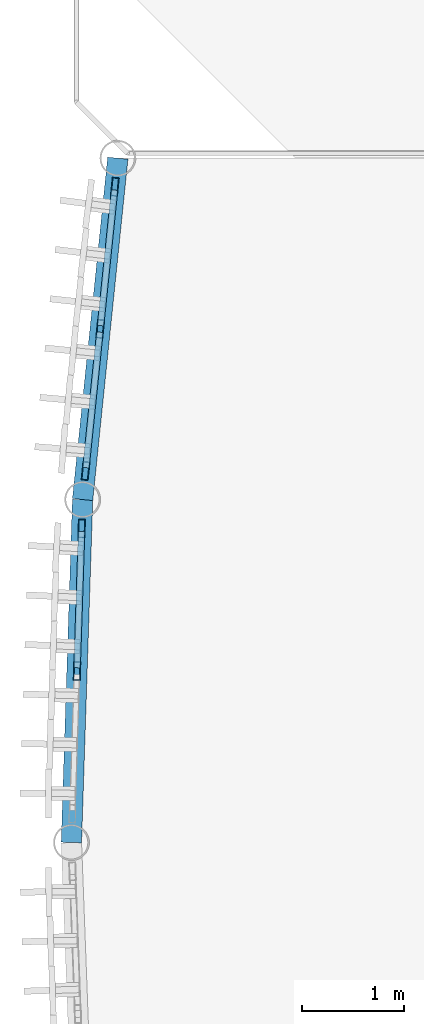
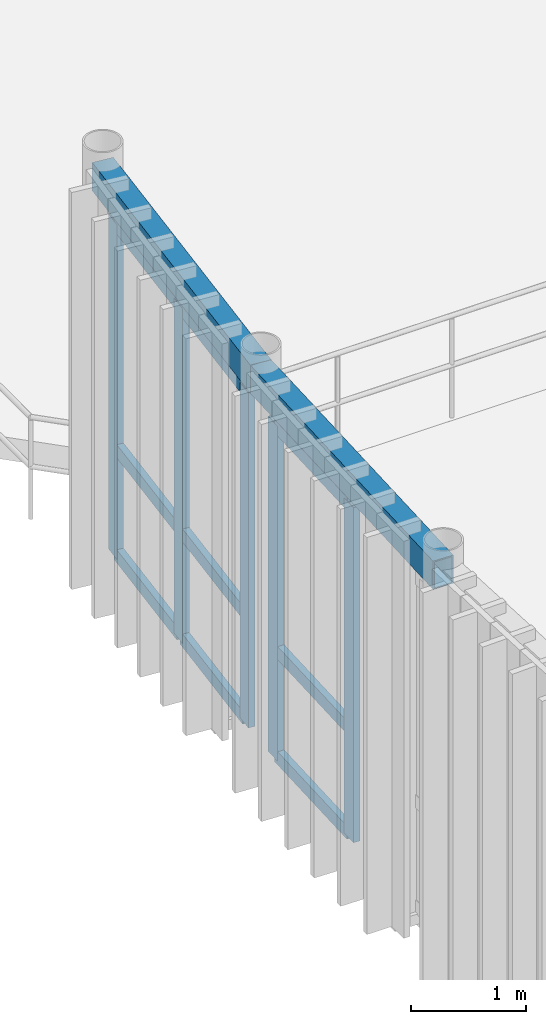
# One storey, part 16 of 32: 14 members, 2 beams, 2 elements without a shape of their own.
"""IFC4 building model written with IfcOpenShell, lengths in metres."""

from ifc_helpers import new_model, si_unit, direction, frame, origin, origin_2d, place, context, subcontext, project, spatial, hollow_rectangle, extrude, material, layer, layer_set, material_profile, profile_set, type_object, element, aggregate, save


model = new_model("IFC4")

# Units and contexts
model_context = context("Model", 3, precision=1e-05, world=origin(), true_north=direction((0.0, 1.0)))
body_context = subcontext(model_context, "Body", "Model", "MODEL_VIEW")
ifc_project = project(units=[si_unit("LENGTHUNIT", "METRE"), si_unit("AREAUNIT", "SQUARE_METRE"), si_unit("VOLUMEUNIT", "CUBIC_METRE"), si_unit("PLANEANGLEUNIT", "RADIAN"), si_unit("MASSUNIT", "GRAM", prefix="KILO")], contexts=[model_context])

# Site, building, storey
site_placement = place(None, origin())
site = spatial("IfcSite", under=ifc_project, at=site_placement, CompositionType="ELEMENT")
building_placement = place(site_placement, origin())
building = spatial("IfcBuilding", under=site, at=building_placement, Name="Selat Folded Stagehouse", CompositionType="ELEMENT")
storey_placement = place(building_placement, frame((0.0, 0.0, 19.199951171875)))
storey = spatial("IfcBuildingStorey", under=building, at=storey_placement, Name="L04", CompositionType="ELEMENT", Elevation=19.199951171875)

# Curtain wall, members
ifc_material_1 = material(Name="Aluminium 6063-T6", Category="aluminium")
ifc_layer = layer(ifc_material_1, 0.18505859375)
ifc_layer_set = layer_set([ifc_layer], Name="Aluminium 6063-T6")
curtain_wall_type = type_object("IfcCurtainWallType", Name="CW-DRM-UPPER", PredefinedType="NOTDEFINED", material=ifc_layer_set)
curtain_wall_1_placement = place(storey_placement, origin())
curtain_wall_1 = element("IfcCurtainWall", 1, at=curtain_wall_1_placement, inside=storey, type_object=curtain_wall_type, Name="L04 curtain wall CW-DRM-L04-00", PredefinedType="NOTDEFINED")
ifc_material_profile_1 = material_profile(ifc_material_1, hollow_rectangle(XDim=0.06494140625, YDim=0.179931640625, WallThickness=0.00390625, at=origin_2d()), Name="ALU 180x65x4.0")
ifc_profile_set_1 = profile_set([ifc_material_profile_1], Name="Aluminium 6063-T6")
member_type_1 = type_object("IfcMemberType", Name="CWM-MUL-180x65", PredefinedType="MULLION", material=ifc_profile_set_1)
member_1_placement = place(storey_placement, frame((0.13916015625, 51.52978515625, 0.0), z_axis=(0.0, 0.0, 1.0), x_axis=(-0.994721032614, 0.102616116059, 0.0)))
member_1 = element("IfcMember", 2, at=member_1_placement, type_object=member_type_1, Name="CW-03 mullion 1", PredefinedType="MULLION", context=body_context, shape_type="SweptSolid", body=[
    extrude(hollow_rectangle(XDim=0.06494140625, YDim=0.179931640625, WallThickness=0.00390625, at=origin_2d()), origin(), (0.0, 0.0, 1.0), 3.56005859375),
])
member_2_placement = place(storey_placement, frame((0.282958984375, 52.92431640625, 0.0), z_axis=(0.0, 0.0, 1.0), x_axis=(-0.994721032614, 0.102616116059, 0.0)))
member_2 = element("IfcMember", 3, at=member_2_placement, type_object=member_type_1, Name="CW-03 mullion 2", PredefinedType="MULLION", context=body_context, shape_type="SweptSolid", body=[
    extrude(hollow_rectangle(XDim=0.06494140625, YDim=0.179931640625, WallThickness=0.00390625, at=origin_2d()), origin(), (0.0, 0.0, 1.0), 3.56005859375),
])
member_3_placement = place(storey_placement, frame((0.4267578125, 54.319091796875, 0.0), z_axis=(0.0, 0.0, 1.0), x_axis=(-0.994721032614, 0.102616116059, 0.0)))
member_3 = element("IfcMember", 4, at=member_3_placement, type_object=member_type_1, Name="CW-03 mullion 3", PredefinedType="MULLION", context=body_context, shape_type="SweptSolid", body=[
    extrude(hollow_rectangle(XDim=0.06494140625, YDim=0.179931640625, WallThickness=0.00390625, at=origin_2d()), origin(), (0.0, 0.0, 1.0), 3.56005859375),
])

curtain_wall_2_placement = place(storey_placement, origin())
curtain_wall_2 = element("IfcCurtainWall", 5, at=curtain_wall_2_placement, inside=storey, type_object=curtain_wall_type, Name="L04 curtain wall CW-DRM-L04-01", PredefinedType="NOTDEFINED")
member_4_placement = place(storey_placement, frame((0.05517578125, 49.565185546875, 0.0), z_axis=(0.0, 0.0, 1.0), x_axis=(-0.999467648801, 0.032625434862, 0.0)))
member_4 = element("IfcMember", 6, at=member_4_placement, type_object=member_type_1, Name="CW-03 mullion 2", PredefinedType="MULLION", context=body_context, shape_type="SweptSolid", body=[
    extrude(hollow_rectangle(XDim=0.06494140625, YDim=0.179931640625, WallThickness=0.00390625, at=origin_2d()), origin(), (0.0, 0.0, 1.0), 3.56005859375),
])
member_5_placement = place(storey_placement, frame((0.100830078125, 50.96630859375, 0.0), z_axis=(0.0, 0.0, 1.0), x_axis=(-0.999467648801, 0.032625434862, 0.0)))
member_5 = element("IfcMember", 7, at=member_5_placement, type_object=member_type_1, Name="CW-03 mullion 3", PredefinedType="MULLION", context=body_context, shape_type="SweptSolid", body=[
    extrude(hollow_rectangle(XDim=0.06494140625, YDim=0.179931640625, WallThickness=0.00390625, at=origin_2d()), origin(), (0.0, 0.0, 1.0), 3.56005859375),
])

# Member
ifc_material_profile_2 = material_profile(ifc_material_1, hollow_rectangle(XDim=0.06494140625, YDim=0.139892578125, WallThickness=0.00390625, at=origin_2d()), Name="ALU 140x65x4.0")
ifc_profile_set_2 = profile_set([ifc_material_profile_2], Name="Aluminium 6063-T6")
member_type_2 = type_object("IfcMemberType", Name="CWM-TRN-140x65", PredefinedType="USERDEFINED", material=ifc_profile_set_2)
member_6_placement = place(storey_placement, frame((0.142578125, 51.562255859375, 0.032470703125), z_axis=(0.102631236213, 0.994719472692, 0.0), x_axis=(-0.994719472692, 0.102631236213, 0.0)))
member_6 = element("IfcMember", 8, at=member_6_placement, type_object=member_type_2, Name="CW-03 transom 1.1", ObjectType="TRANSOM", PredefinedType="USERDEFINED", context=body_context, shape_type="SweptSolid", body=[
    extrude(hollow_rectangle(XDim=0.06494140625, YDim=0.139892578125, WallThickness=0.00390625, at=origin_2d()), origin(), (0.0, 0.0, 1.0), 1.3369140625),
])

member_7_placement = place(storey_placement, frame((0.142578125, 51.562255859375, 1.150146484375), z_axis=(0.102631236213, 0.994719472692, 0.0), x_axis=(-0.994719472692, 0.102631236213, 0.0)))
member_7 = element("IfcMember", 9, at=member_7_placement, type_object=member_type_2, Name="CW-03 transom 1.2", ObjectType="TRANSOM", PredefinedType="USERDEFINED", context=body_context, shape_type="SweptSolid", body=[
    extrude(hollow_rectangle(XDim=0.06494140625, YDim=0.139892578125, WallThickness=0.00390625, at=origin_2d()), origin(), (0.0, 0.0, 1.0), 1.3369140625),
])

member_8_placement = place(storey_placement, frame((0.142578125, 51.562255859375, 3.527587890625), z_axis=(0.102631236213, 0.994719472692, 0.0), x_axis=(-0.994719472692, 0.102631236213, 0.0)))
member_8 = element("IfcMember", 10, at=member_8_placement, type_object=member_type_2, Name="CW-03 transom 1.3", ObjectType="TRANSOM", PredefinedType="USERDEFINED", context=body_context, shape_type="SweptSolid", body=[
    extrude(hollow_rectangle(XDim=0.06494140625, YDim=0.139892578125, WallThickness=0.00390625, at=origin_2d()), origin(), (0.0, 0.0, 1.0), 1.3369140625),
])

member_9_placement = place(storey_placement, frame((0.286376953125, 52.956787109375, 0.032470703125), z_axis=(0.102631236213, 0.994719472692, 0.0), x_axis=(-0.994719472692, 0.102631236213, 0.0)))
member_9 = element("IfcMember", 11, at=member_9_placement, type_object=member_type_2, Name="CW-03 transom 2.1", ObjectType="TRANSOM", PredefinedType="USERDEFINED", context=body_context, shape_type="SweptSolid", body=[
    extrude(hollow_rectangle(XDim=0.06494140625, YDim=0.139892578125, WallThickness=0.00390625, at=origin_2d()), origin(), (0.0, 0.0, 1.0), 1.3369140625),
])

member_10_placement = place(storey_placement, frame((0.286376953125, 52.956787109375, 1.150146484375), z_axis=(0.102631236213, 0.994719472692, 0.0), x_axis=(-0.994719472692, 0.102631236213, 0.0)))
member_10 = element("IfcMember", 12, at=member_10_placement, type_object=member_type_2, Name="CW-03 transom 2.2", ObjectType="TRANSOM", PredefinedType="USERDEFINED", context=body_context, shape_type="SweptSolid", body=[
    extrude(hollow_rectangle(XDim=0.06494140625, YDim=0.139892578125, WallThickness=0.00390625, at=origin_2d()), origin(), (0.0, 0.0, 1.0), 1.3369140625),
])

member_11_placement = place(storey_placement, frame((0.286376953125, 52.956787109375, 3.527587890625), z_axis=(0.102631236213, 0.994719472692, 0.0), x_axis=(-0.994719472692, 0.102631236213, 0.0)))
member_11 = element("IfcMember", 13, at=member_11_placement, type_object=member_type_2, Name="CW-03 transom 2.3", ObjectType="TRANSOM", PredefinedType="USERDEFINED", context=body_context, shape_type="SweptSolid", body=[
    extrude(hollow_rectangle(XDim=0.06494140625, YDim=0.139892578125, WallThickness=0.00390625, at=origin_2d()), origin(), (0.0, 0.0, 1.0), 1.3369140625),
])

aggregate(curtain_wall_1, [member_1, member_2, member_3, member_6, member_7, member_8, member_9, member_10, member_11])

member_12_placement = place(storey_placement, frame((0.05615234375, 49.59765625, 0.032470703125), z_axis=(0.032688532814, 0.999465587113, 0.0), x_axis=(-0.999465587113, 0.032688532814, 0.0)))
member_12 = element("IfcMember", 14, at=member_12_placement, type_object=member_type_2, Name="CW-03 transom 2.1", ObjectType="TRANSOM", PredefinedType="USERDEFINED", context=body_context, shape_type="SweptSolid", body=[
    extrude(hollow_rectangle(XDim=0.06494140625, YDim=0.139892578125, WallThickness=0.00390625, at=origin_2d()), origin(), (0.0, 0.0, 1.0), 1.3369140625),
])

member_13_placement = place(storey_placement, frame((0.05615234375, 49.59765625, 1.150146484375), z_axis=(0.032688532814, 0.999465587113, 0.0), x_axis=(-0.999465587113, 0.032688532814, 0.0)))
member_13 = element("IfcMember", 15, at=member_13_placement, type_object=member_type_2, Name="CW-03 transom 2.2", ObjectType="TRANSOM", PredefinedType="USERDEFINED", context=body_context, shape_type="SweptSolid", body=[
    extrude(hollow_rectangle(XDim=0.06494140625, YDim=0.139892578125, WallThickness=0.00390625, at=origin_2d()), origin(), (0.0, 0.0, 1.0), 1.3369140625),
])

member_14_placement = place(storey_placement, frame((0.05615234375, 49.59765625, 3.527587890625), z_axis=(0.032688532814, 0.999465587113, 0.0), x_axis=(-0.999465587113, 0.032688532814, 0.0)))
member_14 = element("IfcMember", 16, at=member_14_placement, type_object=member_type_2, Name="CW-03 transom 2.3", ObjectType="TRANSOM", PredefinedType="USERDEFINED", context=body_context, shape_type="SweptSolid", body=[
    extrude(hollow_rectangle(XDim=0.06494140625, YDim=0.139892578125, WallThickness=0.00390625, at=origin_2d()), origin(), (0.0, 0.0, 1.0), 1.3369140625),
])

aggregate(curtain_wall_2, [member_4, member_5, member_12, member_13, member_14])

# Beams
ifc_material_2 = material(Name="Steel S355", Category="steel")
ifc_material_profile_3 = material_profile(ifc_material_2, hollow_rectangle(XDim=0.199951171875, YDim=0.300048828125, WallThickness=0.012451171875, at=origin_2d()), Name="RHS 300x200x12.5")
ifc_profile_set_3 = profile_set([ifc_material_profile_3], Name="Steel S355")
beam_type = type_object("IfcBeamType", Name="SPD-RHS-300x200", PredefinedType="SPANDREL", material=ifc_profile_set_3)
beam_1_placement = place(storey_placement, frame((0.455810546875, 54.60009765625, 3.85009765625), z_axis=(-0.102609885069, -0.994721675388, 0.0), x_axis=(0.994721675388, -0.102609885069, 0.0)))
element("IfcBeam", 17, at=beam_1_placement, inside=storey, type_object=beam_type, Name="L04 curved drum spandrel beam 1", PredefinedType="SPANDREL", context=body_context, shape_type="SweptSolid", body=[
    extrude(hollow_rectangle(XDim=0.199951171875, YDim=0.300048828125, WallThickness=0.012451171875, at=origin_2d()), origin(), (0.0, 0.0, 1.0), 3.369140625),
])
beam_2_placement = place(storey_placement, frame((0.110107421875, 51.248779296875, 3.85009765625), z_axis=(-0.03268264694, -0.999465779599, 0.0), x_axis=(0.999465779599, -0.03268264694, 0.0)))
element("IfcBeam", 18, at=beam_2_placement, inside=storey, type_object=beam_type, Name="L04 curved drum spandrel beam 2", PredefinedType="SPANDREL", context=body_context, shape_type="SweptSolid", body=[
    extrude(hollow_rectangle(XDim=0.199951171875, YDim=0.300048828125, WallThickness=0.012451171875, at=origin_2d()), origin(), (0.0, 0.0, 1.0), 3.368896484375),
])

save(model, "model.ifc")
